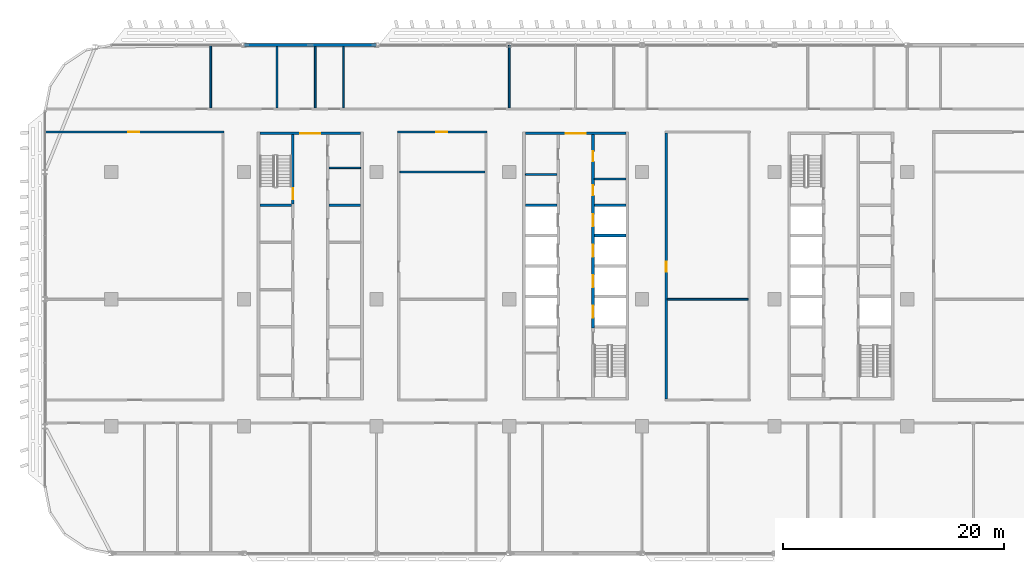
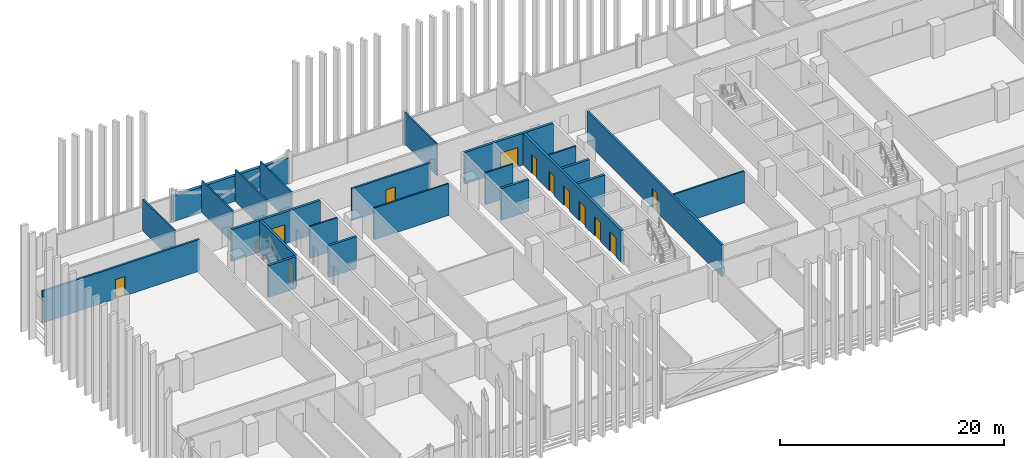
# One storey, part 14 of 28: 23 walls, 12 doors, 12 openings.
"""IFC4 building model written with IfcOpenShell, lengths in metres."""

from ifc_helpers import new_model, si_unit, direction, frame, frame_2d, origin, place, context, subcontext, project, spatial, rectangle, extrude, material, layer, layer_set, type_object, element, fill, save


model = new_model("IFC4")

# Units and contexts
model_context = context("Model", 3, precision=1e-05, world=origin(), true_north=direction((0.0, 1.0)))
body_context = subcontext(model_context, "Body", "Model", "MODEL_VIEW")
ifc_project = project(units=[si_unit("LENGTHUNIT", "METRE"), si_unit("AREAUNIT", "SQUARE_METRE"), si_unit("VOLUMEUNIT", "CUBIC_METRE"), si_unit("PLANEANGLEUNIT", "RADIAN"), si_unit("MASSUNIT", "GRAM", prefix="KILO")], contexts=[model_context])

# Site, building, storey
site_placement = place(None, origin())
site = spatial("IfcSite", under=ifc_project, at=site_placement, CompositionType="ELEMENT")
building_placement = place(site_placement, origin())
building = spatial("IfcBuilding", under=site, at=building_placement, Name="Mahtab Terrace Research Tower", CompositionType="ELEMENT")
storey_placement = place(building_placement, frame((0.0, 0.0, 174.39990234375)))
storey = spatial("IfcBuildingStorey", under=building, at=storey_placement, Name="L41", CompositionType="ELEMENT", Elevation=174.39990234375)

# Walls
ifc_material_1 = material(Name="Gypsum board partition")
ifc_layer_1 = layer(ifc_material_1, 0.14990234375)
ifc_layer_set_1 = layer_set([ifc_layer_1], Name="Core partition 150")
wall_type_1 = type_object("IfcWallType", Name="Core partition 150", PredefinedType="PARTITIONING", material=ifc_layer_set_1)
for number, where, z_axis, x_axis, name in (
    (1, (-22.300048828125, 11.875, 0.0), (0.0, 0.0, 1.0), (1.0, 0.0, 0.0), "Core wall A pEN888"),
    (2, (-4.550048828125, 11.27490234375, 0.0), (0.0, 0.0, 1.0), (1.0, 0.0, 0.0), "Core wall B pWN828"),
    (3, (1.699951171875, 10.875, 0.0), (0.0, 0.0, 1.0), (1.0, 0.0, 0.0), "Core wall B pEN788"),
):
    element("IfcWall", number, at=place(storey_placement, frame(where, z_axis=z_axis, x_axis=x_axis)), inside=storey, type_object=wall_type_1, Name=name, PredefinedType="PARTITIONING", context=body_context, shape_type="SweptSolid", body=[
        extrude(rectangle(XDim=2.85009765625, YDim=0.14990234375, at=frame_2d((1.425048828125, 0.0))), origin(), (0.0, 0.0, 1.0), 3.460205078125),
    ])

# Wall, opening, door
ifc_material_2 = material(Name="Concrete C70/85", Category="concrete")
ifc_layer_2 = layer(ifc_material_2, 0.25)
ifc_layer_set_2 = layer_set([ifc_layer_2], Name="Core wall 250")
wall_type_2 = type_object("IfcWallType", Name="Core wall 250", PredefinedType="SOLIDWALL", material=ifc_layer_set_2)
wall_1_placement = place(storey_placement, frame((-28.550048828125, 15.0, 0.0), z_axis=(0.0, 0.0, 1.0), x_axis=(1.0, 0.0, 0.0)))
wall_1 = element("IfcWall", 4, at=wall_1_placement, inside=storey, type_object=wall_type_2, Name="Core wall A endN", PredefinedType="SOLIDWALL", context=body_context, shape_type="SweptSolid", body=[
    extrude(rectangle(XDim=9.10009765625, YDim=0.25, at=frame_2d((4.550048828125, 0.0))), origin(), (0.0, 0.0, 1.0), 3.460205078125),
])
opening_1_placement = place(wall_1_placement, frame((3.64990234375, 0.0, 0.0)))
opening_1 = element("IfcOpeningElement", 5, at=opening_1_placement, cuts=wall_1, Name="Opening A-N1", PredefinedType="OPENING", context=body_context, shape_type="SweptSolid", body=[
    extrude(rectangle(XDim=1.800048828125, YDim=2.10009765625, at=frame_2d((0.89990234375, 1.050048828125))), frame((0.0, 0.135009765625, 0.0), z_axis=(0.0, -1.0, 0.0), x_axis=(1.0, 0.0, 0.0)), (0.0, 0.0, 1.0), 0.27001953125),
])
ifc_material_3 = material(Name="Steel fire door", Category="steel")
door_type_1 = type_object("IfcDoorType", Name="Lobby double door 1800x2100 1 HR", OperationType="DOUBLE_DOOR_SINGLE_SWING", PredefinedType="DOOR", material=ifc_material_3)
door_1_placement = place(opening_1_placement, origin())
door_1 = element("IfcDoor", 6, at=door_1_placement, inside=storey, type_object=door_type_1, Name="Core entrance door A N", OperationType="DOUBLE_DOOR_SINGLE_SWING", OverallHeight=2.10009765625, OverallWidth=1.800048828125, PredefinedType="DOOR", context=body_context, shape_type="SweptSolid", body=[
    extrude(rectangle(XDim=1.800048828125, YDim=2.10009765625, at=frame_2d((0.89990234375, 1.050048828125))), frame((0.0, 0.02490234375, 0.0), z_axis=(0.0, -1.0, 0.0), x_axis=(1.0, 0.0, 0.0)), (0.0, 0.0, 1.0), 0.050048828125),
])
fill(opening_1, door_1)

wall_2_placement = place(storey_placement, frame((-25.574951171875, 14.875, 0.0), z_axis=(0.0, 0.0, 1.0), x_axis=(0.0, -1.0, 0.0)))
wall_2 = element("IfcWall", 7, at=wall_2_placement, inside=storey, type_object=wall_type_2, Name="Core wall A innerWN", PredefinedType="SOLIDWALL", context=body_context, shape_type="SweptSolid", body=[
    extrude(rectangle(XDim=6.25, YDim=0.25, at=frame_2d((3.125, 0.0))), origin(), (0.0, 0.0, 1.0), 3.460205078125),
])
opening_2_placement = place(wall_2_placement, frame((4.85009765625, 0.0, 0.0)))
opening_2 = element("IfcOpeningElement", 8, at=opening_2_placement, cuts=wall_2, Name="Opening A-ST1", PredefinedType="OPENING", context=body_context, shape_type="SweptSolid", body=[
    extrude(rectangle(XDim=1.0, YDim=2.10009765625, at=frame_2d((0.5, 1.050048828125))), frame((0.0, 0.135009765625, 0.0), z_axis=(0.0, -1.0, 0.0), x_axis=(1.0, 0.0, 0.0)), (0.0, 0.0, 1.0), 0.27001953125),
])
door_type_2 = type_object("IfcDoorType", Name="Stair door 1000x2100 1.5 HR", OperationType="NOTDEFINED", PredefinedType="DOOR", material=ifc_material_3)
door_2_placement = place(opening_2_placement, origin())
door_2 = element("IfcDoor", 9, at=door_2_placement, inside=storey, type_object=door_type_2, Name="Stair door ST1 L41", OperationType="SINGLE_SWING_RIGHT", OverallHeight=2.10009765625, OverallWidth=1.0, PredefinedType="DOOR", context=body_context, shape_type="SweptSolid", body=[
    extrude(rectangle(XDim=1.0, YDim=2.10009765625, at=frame_2d((0.5, 1.050048828125))), frame((0.0, 0.02490234375, 0.0), z_axis=(0.0, -1.0, 0.0), x_axis=(1.0, 0.0, 0.0)), (0.0, 0.0, 1.0), 0.050048828125),
])
fill(opening_2, door_2)

# Walls
for number, where, z_axis, x_axis, name in (
    (10, (-28.550048828125, 8.5, 0.0), (0.0, 0.0, 1.0), (1.0, 0.0, 0.0), "Core wall A divW4"),
    (11, (-22.300048828125, 8.5, 0.0), (0.0, 0.0, 1.0), (1.0, 0.0, 0.0), "Core wall A divE4"),
):
    element("IfcWall", number, at=place(storey_placement, frame(where, z_axis=z_axis, x_axis=x_axis)), inside=storey, type_object=wall_type_2, Name=name, PredefinedType="SOLIDWALL", context=body_context, shape_type="SweptSolid", body=[
        extrude(rectangle(XDim=2.85009765625, YDim=0.25, at=frame_2d((1.425048828125, 0.0))), origin(), (0.0, 0.0, 1.0), 3.460205078125),
    ])

# Wall, opening, door
wall_3_placement = place(storey_placement, frame((-4.550048828125, 15.0, 0.0), z_axis=(0.0, 0.0, 1.0), x_axis=(1.0, 0.0, 0.0)))
wall_3 = element("IfcWall", 12, at=wall_3_placement, inside=storey, type_object=wall_type_2, Name="Core wall B endN", PredefinedType="SOLIDWALL", context=body_context, shape_type="SweptSolid", body=[
    extrude(rectangle(XDim=9.10009765625, YDim=0.25, at=frame_2d((4.550048828125, 0.0))), origin(), (0.0, 0.0, 1.0), 3.460205078125),
])
opening_3_placement = place(wall_3_placement, frame((3.64990234375, 0.0, 0.0)))
opening_3 = element("IfcOpeningElement", 13, at=opening_3_placement, cuts=wall_3, Name="Opening B-N1", PredefinedType="OPENING", context=body_context, shape_type="SweptSolid", body=[
    extrude(rectangle(XDim=1.800048828125, YDim=2.10009765625, at=frame_2d((0.89990234375, 1.050048828125))), frame((0.0, 0.135009765625, 0.0), z_axis=(0.0, -1.0, 0.0), x_axis=(1.0, 0.0, 0.0)), (0.0, 0.0, 1.0), 0.27001953125),
])
door_3_placement = place(opening_3_placement, origin())
door_3 = element("IfcDoor", 14, at=door_3_placement, inside=storey, type_object=door_type_1, Name="Core entrance door B N", OperationType="DOUBLE_DOOR_SINGLE_SWING", OverallHeight=2.10009765625, OverallWidth=1.800048828125, PredefinedType="DOOR", context=body_context, shape_type="SweptSolid", body=[
    extrude(rectangle(XDim=1.800048828125, YDim=2.10009765625, at=frame_2d((0.89990234375, 1.050048828125))), frame((0.0, 0.02490234375, 0.0), z_axis=(0.0, -1.0, 0.0), x_axis=(1.0, 0.0, 0.0)), (0.0, 0.0, 1.0), 0.050048828125),
])
fill(opening_3, door_3)

# Wall, openings, doors
wall_4_placement = place(storey_placement, frame((1.574951171875, 14.875, 0.0), z_axis=(0.0, 0.0, 1.0), x_axis=(0.0, -1.0, 0.0)))
wall_4 = element("IfcWall", 15, at=wall_4_placement, inside=storey, type_object=wall_type_2, Name="Core wall B innerELN", PredefinedType="SOLIDWALL", context=body_context, shape_type="SweptSolid", body=[
    extrude(rectangle(XDim=17.5, YDim=0.25, at=frame_2d((8.75, 0.0))), origin(), (0.0, 0.0, 1.0), 3.460205078125),
])
opening_4_placement = place(wall_4_placement, frame((15.449951171875, 0.0, 0.0)))
opening_4 = element("IfcOpeningElement", 16, at=opening_4_placement, cuts=wall_4, Name="Opening LD13-L41", PredefinedType="OPENING", context=body_context, shape_type="SweptSolid", body=[
    extrude(rectangle(XDim=1.10009765625, YDim=2.10009765625, at=frame_2d((0.550048828125, 1.050048828125))), frame((0.0, 0.135009765625, 0.0), z_axis=(0.0, -1.0, 0.0), x_axis=(1.0, 0.0, 0.0)), (0.0, 0.0, 1.0), 0.27001953125),
])
opening_5_placement = place(wall_4_placement, frame((12.699951171875, 0.0, 0.0)))
opening_5 = element("IfcOpeningElement", 17, at=opening_5_placement, cuts=wall_4, Name="Opening LD14-L41", PredefinedType="OPENING", context=body_context, shape_type="SweptSolid", body=[
    extrude(rectangle(XDim=1.10009765625, YDim=2.10009765625, at=frame_2d((0.550048828125, 1.050048828125))), frame((0.0, 0.135009765625, 0.0), z_axis=(0.0, -1.0, 0.0), x_axis=(1.0, 0.0, 0.0)), (0.0, 0.0, 1.0), 0.27001953125),
])
opening_6_placement = place(wall_4_placement, frame((9.949951171875, 0.0, 0.0)))
opening_6 = element("IfcOpeningElement", 18, at=opening_6_placement, cuts=wall_4, Name="Opening LD15-L41", PredefinedType="OPENING", context=body_context, shape_type="SweptSolid", body=[
    extrude(rectangle(XDim=1.10009765625, YDim=2.10009765625, at=frame_2d((0.550048828125, 1.050048828125))), frame((0.0, 0.135009765625, 0.0), z_axis=(0.0, -1.0, 0.0), x_axis=(1.0, 0.0, 0.0)), (0.0, 0.0, 1.0), 0.27001953125),
])
opening_7_placement = place(wall_4_placement, frame((7.199951171875, 0.0, 0.0)))
opening_7 = element("IfcOpeningElement", 19, at=opening_7_placement, cuts=wall_4, Name="Opening LD16-L41", PredefinedType="OPENING", context=body_context, shape_type="SweptSolid", body=[
    extrude(rectangle(XDim=1.10009765625, YDim=2.10009765625, at=frame_2d((0.550048828125, 1.050048828125))), frame((0.0, 0.135009765625, 0.0), z_axis=(0.0, -1.0, 0.0), x_axis=(1.0, 0.0, 0.0)), (0.0, 0.0, 1.0), 0.27001953125),
])
opening_8_placement = place(wall_4_placement, frame((4.58740234375, 0.0, 0.0)))
opening_8 = element("IfcOpeningElement", 20, at=opening_8_placement, cuts=wall_4, Name="Opening B-R5", PredefinedType="OPENING", context=body_context, shape_type="SweptSolid", body=[
    extrude(rectangle(XDim=0.89990234375, YDim=2.10009765625, at=frame_2d((0.449951171875, 1.050048828125))), frame((0.0, 0.135009765625, 0.0), z_axis=(0.0, -1.0, 0.0), x_axis=(1.0, 0.0, 0.0)), (0.0, 0.0, 1.0), 0.27001953125),
])
opening_9_placement = place(wall_4_placement, frame((1.512451171875, 0.0, 0.0)))
opening_9 = element("IfcOpeningElement", 21, at=opening_9_placement, cuts=wall_4, Name="Opening B-R6", PredefinedType="OPENING", context=body_context, shape_type="SweptSolid", body=[
    extrude(rectangle(XDim=0.89990234375, YDim=2.10009765625, at=frame_2d((0.449951171875, 1.050048828125))), frame((0.0, 0.135009765625, 0.0), z_axis=(0.0, -1.0, 0.0), x_axis=(1.0, 0.0, 0.0)), (0.0, 0.0, 1.0), 0.27001953125),
])
ifc_material_4 = material(Name="Stainless steel AISI 304", Category="steel")
door_type_3 = type_object("IfcDoorType", Name="Landing door 1100x2100", OperationType="DOUBLE_DOOR_SLIDING", PredefinedType="DOOR", material=ifc_material_4)
door_4_placement = place(opening_4_placement, origin())
door_4 = element("IfcDoor", 22, at=door_4_placement, inside=storey, type_object=door_type_3, Name="Landing door HR5 L41", OperationType="DOUBLE_DOOR_SLIDING", OverallHeight=2.10009765625, OverallWidth=1.10009765625, PredefinedType="DOOR", context=body_context, shape_type="SweptSolid", body=[
    extrude(rectangle(XDim=1.10009765625, YDim=2.10009765625, at=frame_2d((0.550048828125, 1.050048828125))), frame((0.0, 0.02490234375, 0.0), z_axis=(0.0, -1.0, 0.0), x_axis=(1.0, 0.0, 0.0)), (0.0, 0.0, 1.0), 0.050048828125),
])
fill(opening_4, door_4)
door_5_placement = place(opening_5_placement, origin())
door_5 = element("IfcDoor", 23, at=door_5_placement, inside=storey, type_object=door_type_3, Name="Landing door HR6 L41", OperationType="DOUBLE_DOOR_SLIDING", OverallHeight=2.10009765625, OverallWidth=1.10009765625, PredefinedType="DOOR", context=body_context, shape_type="SweptSolid", body=[
    extrude(rectangle(XDim=1.10009765625, YDim=2.10009765625, at=frame_2d((0.550048828125, 1.050048828125))), frame((0.0, 0.02490234375, 0.0), z_axis=(0.0, -1.0, 0.0), x_axis=(1.0, 0.0, 0.0)), (0.0, 0.0, 1.0), 0.050048828125),
])
fill(opening_5, door_5)
door_6_placement = place(opening_6_placement, origin())
door_6 = element("IfcDoor", 24, at=door_6_placement, inside=storey, type_object=door_type_3, Name="Landing door HR7 L41", OperationType="DOUBLE_DOOR_SLIDING", OverallHeight=2.10009765625, OverallWidth=1.10009765625, PredefinedType="DOOR", context=body_context, shape_type="SweptSolid", body=[
    extrude(rectangle(XDim=1.10009765625, YDim=2.10009765625, at=frame_2d((0.550048828125, 1.050048828125))), frame((0.0, 0.02490234375, 0.0), z_axis=(0.0, -1.0, 0.0), x_axis=(1.0, 0.0, 0.0)), (0.0, 0.0, 1.0), 0.050048828125),
])
fill(opening_6, door_6)
door_7_placement = place(opening_7_placement, origin())
door_7 = element("IfcDoor", 25, at=door_7_placement, inside=storey, type_object=door_type_3, Name="Landing door HR8 L41", OperationType="DOUBLE_DOOR_SLIDING", OverallHeight=2.10009765625, OverallWidth=1.10009765625, PredefinedType="DOOR", context=body_context, shape_type="SweptSolid", body=[
    extrude(rectangle(XDim=1.10009765625, YDim=2.10009765625, at=frame_2d((0.550048828125, 1.050048828125))), frame((0.0, 0.02490234375, 0.0), z_axis=(0.0, -1.0, 0.0), x_axis=(1.0, 0.0, 0.0)), (0.0, 0.0, 1.0), 0.050048828125),
])
fill(opening_7, door_7)
door_type_4 = type_object("IfcDoorType", Name="Room door 900x2100 1 HR", OperationType="NOTDEFINED", PredefinedType="DOOR", material=ifc_material_3)
door_8_placement = place(opening_8_placement, origin())
door_8 = element("IfcDoor", 26, at=door_8_placement, inside=storey, type_object=door_type_4, Name="Accessible WC door", OperationType="SINGLE_SWING_LEFT", OverallHeight=2.10009765625, OverallWidth=0.89990234375, PredefinedType="DOOR", context=body_context, shape_type="SweptSolid", body=[
    extrude(rectangle(XDim=0.89990234375, YDim=2.10009765625, at=frame_2d((0.449951171875, 1.050048828125))), frame((0.0, 0.02490234375, 0.0), z_axis=(0.0, -1.0, 0.0), x_axis=(1.0, 0.0, 0.0)), (0.0, 0.0, 1.0), 0.050048828125),
])
fill(opening_8, door_8)
door_9_placement = place(opening_9_placement, origin())
door_9 = element("IfcDoor", 27, at=door_9_placement, inside=storey, type_object=door_type_4, Name="WC block door", OperationType="SINGLE_SWING_RIGHT", OverallHeight=2.10009765625, OverallWidth=0.89990234375, PredefinedType="DOOR", context=body_context, shape_type="SweptSolid", body=[
    extrude(rectangle(XDim=0.89990234375, YDim=2.10009765625, at=frame_2d((0.449951171875, 1.050048828125))), frame((0.0, 0.02490234375, 0.0), z_axis=(0.0, -1.0, 0.0), x_axis=(1.0, 0.0, 0.0)), (0.0, 0.0, 1.0), 0.050048828125),
])
fill(opening_9, door_9)

# Walls
for number, where, z_axis, x_axis, name in (
    (28, (-4.550048828125, 8.5, 0.0), (0.0, 0.0, 1.0), (1.0, 0.0, 0.0), "Core wall B divW4"),
    (29, (1.699951171875, 5.75, 0.0), (0.0, 0.0, 1.0), (1.0, 0.0, 0.0), "Core wall B divE3"),
    (30, (1.699951171875, 8.5, 0.0), (0.0, 0.0, 1.0), (1.0, 0.0, 0.0), "Core wall B divE4"),
):
    element("IfcWall", number, at=place(storey_placement, frame(where, z_axis=z_axis, x_axis=x_axis)), inside=storey, type_object=wall_type_2, Name=name, PredefinedType="SOLIDWALL", context=body_context, shape_type="SweptSolid", body=[
        extrude(rectangle(XDim=2.85009765625, YDim=0.25, at=frame_2d((1.425048828125, 0.0))), origin(), (0.0, 0.0, 1.0), 3.460205078125),
    ])
ifc_material_5 = material(Name="Black aluminium cladding panel", Category="aluminium")
ifc_layer_3 = layer(ifc_material_5, 0.300048828125)
ifc_layer_set_3 = layer_set([ifc_layer_3], Name="Opaque facade wall 300")
wall_type_3 = type_object("IfcWallType", Name="Opaque facade wall 300", PredefinedType="NOTDEFINED", material=ifc_layer_set_3)
wall_5_placement = place(storey_placement, frame((-18.014892578125, 23.0, 0.0), z_axis=(0.0, 0.0, 1.0), x_axis=(-1.0, 0.0, 0.0)))
element("IfcWall", 31, at=wall_5_placement, inside=storey, type_object=wall_type_3, Name="Opaque facade wall L41 N8", PredefinedType="NOTDEFINED", context=body_context, shape_type="SweptSolid", body=[
    extrude(rectangle(XDim=11.97021484375, YDim=0.300048828125, at=frame_2d((5.985107421875, 0.0))), origin(), (0.0, 0.0, 1.0), 2.781982421875),
])

# Wall, opening, door
ifc_material_6 = material(Name="Gypsum board corridor wall on steel studs", Category="steel")
ifc_layer_4 = layer(ifc_material_6, 0.199951171875)
ifc_layer_set_4 = layer_set([ifc_layer_4], Name="WALL CORRIDOR 200")
wall_type_4 = type_object("IfcWallType", Name="WALL CORRIDOR 200", PredefinedType="PARTITIONING", material=ifc_layer_set_4)
wall_6_placement = place(storey_placement, frame((-47.97509765625, 15.125, 0.0), z_axis=(0.0, 0.0, 1.0), x_axis=(1.0, 0.0, 0.0)))
wall_6 = element("IfcWall", 32, at=wall_6_placement, inside=storey, type_object=wall_type_4, Name="L41-W023", PredefinedType="PARTITIONING", context=body_context, shape_type="SweptSolid", body=[
    extrude(rectangle(XDim=16.175048828125, YDim=0.199951171875, at=frame_2d((8.08740234375, 0.0))), origin(), (0.0, 0.0, 1.0), 3.460205078125),
])
opening_10_placement = place(wall_6_placement, frame((7.5, 0.0, 0.0)))
opening_10 = element("IfcOpeningElement", 33, at=opening_10_placement, cuts=wall_6, Name="Opening L41-123", PredefinedType="OPENING", context=body_context, shape_type="SweptSolid", body=[
    extrude(rectangle(XDim=1.0, YDim=2.10009765625, at=frame_2d((0.5, 1.050048828125))), frame((0.0, 0.10986328125, 0.0), z_axis=(0.0, -1.0, 0.0), x_axis=(1.0, 0.0, 0.0)), (0.0, 0.0, 1.0), 0.219970703125),
])
ifc_material_7 = material(Name="Timber door leaf in steel frame", Category="steel")
door_type_5 = type_object("IfcDoorType", Name="DOOR 1000X2100 FD30S", OperationType="SINGLE_SWING_LEFT", PredefinedType="DOOR", material=ifc_material_7)
door_10_placement = place(opening_10_placement, origin())
door_10 = element("IfcDoor", 34, at=door_10_placement, inside=storey, type_object=door_type_5, Name="Door L41-123", OperationType="SINGLE_SWING_RIGHT", OverallHeight=2.10009765625, OverallWidth=1.0, PredefinedType="DOOR", context=body_context, shape_type="SweptSolid", body=[
    extrude(rectangle(XDim=1.0, YDim=2.10009765625, at=frame_2d((0.5, 1.050048828125))), frame((0.0, 0.02490234375, 0.0), z_axis=(0.0, -1.0, 0.0), x_axis=(1.0, 0.0, 0.0)), (0.0, 0.0, 1.0), 0.050048828125),
])
fill(opening_10, door_10)

wall_7_placement = place(storey_placement, frame((-16.10009765625, 15.125, 0.0), z_axis=(0.0, 0.0, 1.0), x_axis=(1.0, 0.0, 0.0)))
wall_7 = element("IfcWall", 35, at=wall_7_placement, inside=storey, type_object=wall_type_4, Name="L41-W024", PredefinedType="PARTITIONING", context=body_context, shape_type="SweptSolid", body=[
    extrude(rectangle(XDim=8.10009765625, YDim=0.199951171875, at=frame_2d((4.050048828125, 0.0))), origin(), (0.0, 0.0, 1.0), 3.460205078125),
])
opening_11_placement = place(wall_7_placement, frame((3.5, 0.0, 0.0)))
opening_11 = element("IfcOpeningElement", 36, at=opening_11_placement, cuts=wall_7, Name="Opening L41-125", PredefinedType="OPENING", context=body_context, shape_type="SweptSolid", body=[
    extrude(rectangle(XDim=1.0, YDim=2.10009765625, at=frame_2d((0.5, 1.050048828125))), frame((0.0, 0.10986328125, 0.0), z_axis=(0.0, -1.0, 0.0), x_axis=(1.0, 0.0, 0.0)), (0.0, 0.0, 1.0), 0.219970703125),
])
door_11_placement = place(opening_11_placement, origin())
door_11 = element("IfcDoor", 37, at=door_11_placement, inside=storey, type_object=door_type_5, Name="Door L41-125", OperationType="SINGLE_SWING_RIGHT", OverallHeight=2.10009765625, OverallWidth=1.0, PredefinedType="DOOR", context=body_context, shape_type="SweptSolid", body=[
    extrude(rectangle(XDim=1.0, YDim=2.10009765625, at=frame_2d((0.5, 1.050048828125))), frame((0.0, 0.02490234375, 0.0), z_axis=(0.0, -1.0, 0.0), x_axis=(1.0, 0.0, 0.0)), (0.0, 0.0, 1.0), 0.050048828125),
])
fill(opening_11, door_11)

wall_8_placement = place(storey_placement, frame((8.199951171875, -9.02490234375, 0.0), z_axis=(0.0, 0.0, 1.0), x_axis=(0.0, 1.0, 0.0)))
wall_8 = element("IfcWall", 38, at=wall_8_placement, inside=storey, type_object=wall_type_4, Name="L41-W048", PredefinedType="PARTITIONING", context=body_context, shape_type="SweptSolid", body=[
    extrude(rectangle(XDim=24.0498046875, YDim=0.199951171875, at=frame_2d((12.02490234375, 0.0))), origin(), (0.0, 0.0, 1.0), 3.460205078125),
])
opening_12_placement = place(wall_8_placement, frame((11.5, 0.0, 0.0)))
opening_12 = element("IfcOpeningElement", 39, at=opening_12_placement, cuts=wall_8, Name="Opening L41-124", PredefinedType="OPENING", context=body_context, shape_type="SweptSolid", body=[
    extrude(rectangle(XDim=0.89990234375, YDim=2.10009765625, at=frame_2d((0.449951171875, 1.050048828125))), frame((0.0, 0.10986328125, 0.0), z_axis=(0.0, -1.0, 0.0), x_axis=(1.0, 0.0, 0.0)), (0.0, 0.0, 1.0), 0.219970703125),
])
door_type_6 = type_object("IfcDoorType", Name="DOOR 0900X2100 FD30S", OperationType="SINGLE_SWING_LEFT", PredefinedType="DOOR", material=ifc_material_7)
door_12_placement = place(opening_12_placement, origin())
door_12 = element("IfcDoor", 40, at=door_12_placement, inside=storey, type_object=door_type_6, Name="Door L41-124", OperationType="SINGLE_SWING_RIGHT", OverallHeight=2.10009765625, OverallWidth=0.89990234375, PredefinedType="DOOR", context=body_context, shape_type="SweptSolid", body=[
    extrude(rectangle(XDim=0.89990234375, YDim=2.10009765625, at=frame_2d((0.449951171875, 1.050048828125))), frame((0.0, 0.02490234375, 0.0), z_axis=(0.0, -1.0, 0.0), x_axis=(1.0, 0.0, 0.0)), (0.0, 0.0, 1.0), 0.050048828125),
])
fill(opening_12, door_12)

# Walls
ifc_material_8 = material(Name="Gypsum board partition on steel studs", Category="steel")
ifc_layer_5 = layer(ifc_material_8, 0.14990234375)
ifc_layer_set_5 = layer_set([ifc_layer_5], Name="WALL PARTITION 150")
wall_type_5 = type_object("IfcWallType", Name="WALL PARTITION 150", PredefinedType="PARTITIONING", material=ifc_layer_set_5)
wall_9_placement = place(storey_placement, frame((8.300048828125, 0.0, 0.0), z_axis=(0.0, 0.0, 1.0), x_axis=(1.0, 0.0, 0.0)))
element("IfcWall", 41, at=wall_9_placement, inside=storey, type_object=wall_type_5, Name="L41-W017", PredefinedType="PARTITIONING", context=body_context, shape_type="SweptSolid", body=[
    extrude(rectangle(XDim=7.300048828125, YDim=0.14990234375, at=frame_2d((3.64990234375, 0.0))), origin(), (0.0, 0.0, 1.0), 3.460205078125),
])
wall_10_placement = place(storey_placement, frame((-15.89990234375, 11.5, 0.0), z_axis=(0.0, 0.0, 1.0), x_axis=(1.0, 0.0, 0.0)))
element("IfcWall", 42, at=wall_10_placement, inside=storey, type_object=wall_type_5, Name="L41-W020", PredefinedType="PARTITIONING", context=body_context, shape_type="SweptSolid", body=[
    extrude(rectangle(XDim=7.699951171875, YDim=0.14990234375, at=frame_2d((3.85009765625, 0.0))), origin(), (0.0, 0.0, 1.0), 3.460205078125),
])
wall_11_placement = place(storey_placement, frame((-33.0, 17.300048828125, 0.0), z_axis=(0.0, 0.0, 1.0), x_axis=(0.0, 1.0, 0.0)))
element("IfcWall", 43, at=wall_11_placement, inside=storey, type_object=wall_type_5, Name="L41-W031", PredefinedType="PARTITIONING", context=body_context, shape_type="SweptSolid", body=[
    extrude(rectangle(XDim=5.675048828125, YDim=0.14990234375, at=frame_2d((2.83740234375, 0.0))), origin(), (0.0, 0.0, 1.0), 3.460205078125),
])
for number, where, z_axis, x_axis, name in (
    (44, (-27.0, 17.300048828125, 0.0), (0.0, 0.0, 1.0), (0.0, 1.0, 0.0), "L41-W033"),
    (45, (-23.550048828125, 17.300048828125, 0.0), (0.0, 0.0, 1.0), (0.0, 1.0, 0.0), "L41-W035"),
    (46, (-21.0, 17.300048828125, 0.0), (0.0, 0.0, 1.0), (0.0, 1.0, 0.0), "L41-W036"),
):
    element("IfcWall", number, at=place(storey_placement, frame(where, z_axis=z_axis, x_axis=x_axis)), inside=storey, type_object=wall_type_5, Name=name, PredefinedType="PARTITIONING", context=body_context, shape_type="SweptSolid", body=[
        extrude(rectangle(XDim=5.550048828125, YDim=0.14990234375, at=frame_2d((2.77490234375, 0.0))), origin(), (0.0, 0.0, 1.0), 3.460205078125),
    ])
wall_12_placement = place(storey_placement, frame((-6.0, 17.300048828125, 0.0), z_axis=(0.0, 0.0, 1.0), x_axis=(0.0, 1.0, 0.0)))
element("IfcWall", 47, at=wall_12_placement, inside=storey, type_object=wall_type_5, Name="L41-W042", PredefinedType="PARTITIONING", context=body_context, shape_type="SweptSolid", body=[
    extrude(rectangle(XDim=5.675048828125, YDim=0.14990234375, at=frame_2d((2.83740234375, 0.0))), origin(), (0.0, 0.0, 1.0), 3.460205078125),
])

save(model, "model.ifc")
